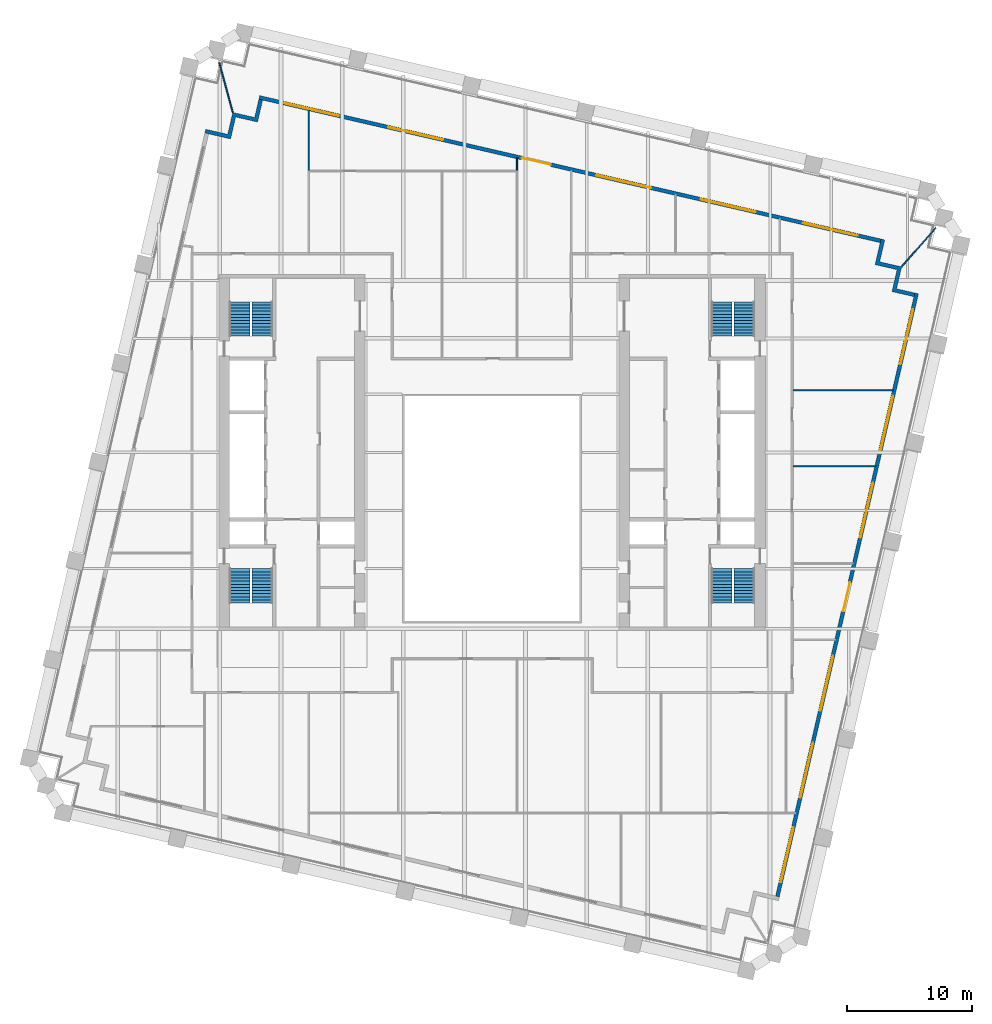
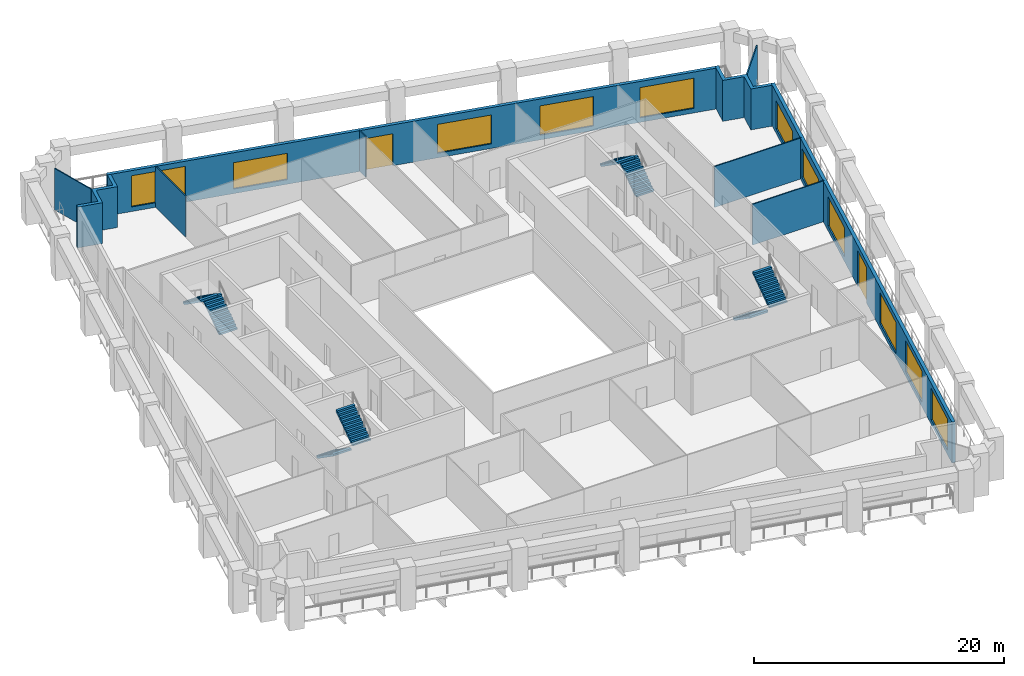
# One storey, part 8 of 9: 11 windows, 10 walls, 8 stair flights, 2 doors, 13 openings, 4 elements without a shape of their own.
"""IFC4 building model written with IfcOpenShell, lengths in metres."""

from ifc_helpers import new_model, si_unit, direction, frame, frame_2d, origin, place, context, subcontext, project, spatial, polyline, rectangle, outline, extrude, material, layer, layer_set, type_object, element, fill, aggregate, save


model = new_model("IFC4")

# Units and contexts
model_context = context("Model", 3, precision=1e-05, world=origin(), true_north=direction((0.0, 1.0)))
body_context = subcontext(model_context, "Body", "Model", "MODEL_VIEW")
ifc_project = project(units=[si_unit("LENGTHUNIT", "METRE"), si_unit("AREAUNIT", "SQUARE_METRE"), si_unit("VOLUMEUNIT", "CUBIC_METRE"), si_unit("PLANEANGLEUNIT", "RADIAN"), si_unit("MASSUNIT", "GRAM", prefix="KILO")], contexts=[model_context])

# Site, building, storey
site_placement = place(None, origin())
site = spatial("IfcSite", under=ifc_project, at=site_placement, CompositionType="ELEMENT")
building_placement = place(site_placement, origin())
building = spatial("IfcBuilding", under=site, at=building_placement, Name="Ogive Exchange Tower", CompositionType="ELEMENT")
storey_placement = place(building_placement, frame((0.0, 0.0, 122.39990234375)))
storey = spatial("IfcBuildingStorey", under=building, at=storey_placement, Name="L26", CompositionType="ELEMENT", Elevation=122.39990234375)

# Wall, openings, door, windows
ifc_material_1 = material(Name="Precast concrete C40/50", Category="concrete")
ifc_layer_1 = layer(ifc_material_1, 0.300048828125)
ifc_layer_set_1 = layer_set([ifc_layer_1], Name="Limestone-faced wall 300")
wall_type_1 = type_object("IfcWallType", Name="Limestone-faced wall 300", PredefinedType="STANDARD", material=ifc_layer_set_1)
wall_1_placement = place(storey_placement, frame((22.8203125, -24.015625, 0.0), z_axis=(0.0, 0.0, 1.0), x_axis=(0.224953880882, 0.974369412223, 0.0)))
wall_1 = element("IfcWall", 1, at=wall_1_placement, inside=storey, type_object=wall_type_1, Name="External wall E2", PredefinedType="STANDARD", context=body_context, shape_type="SweptSolid", body=[
    extrude(rectangle(XDim=49.500244140625, YDim=0.300048828125, at=frame_2d((24.75, 0.0))), origin(), (0.0, 0.0, 1.0), 4.0),
])
opening_1_placement = place(wall_1_placement, frame((1.156982421875, 0.0, 0.449951171875)))
opening_1 = element("IfcOpeningElement", 2, at=opening_1_placement, cuts=wall_1, Name="Opening W1", PredefinedType="OPENING", context=body_context, shape_type="SweptSolid", body=[
    extrude(rectangle(XDim=4.5, YDim=3.050048828125, at=frame_2d((2.25, 1.52490234375))), frame((0.0, 0.159912109375, 0.0), z_axis=(0.0, -1.0, 0.0), x_axis=(1.0, 0.0, 0.0)), (0.0, 0.0, 1.0), 0.320068359375),
])
opening_2_placement = place(wall_1_placement, frame((8.121337890625, 0.0, 0.449951171875)))
opening_2 = element("IfcOpeningElement", 3, at=opening_2_placement, cuts=wall_1, Name="Opening W1", PredefinedType="OPENING", context=body_context, shape_type="SweptSolid", body=[
    extrude(rectangle(XDim=4.5, YDim=3.050048828125, at=frame_2d((2.25, 1.52490234375))), frame((0.0, 0.159912109375, 0.0), z_axis=(0.0, -1.0, 0.0), x_axis=(1.0, 0.0, 0.0)), (0.0, 0.0, 1.0), 0.320068359375),
])
opening_3_placement = place(wall_1_placement, frame((15.235595703125, 0.0, 0.449951171875)))
opening_3 = element("IfcOpeningElement", 4, at=opening_3_placement, cuts=wall_1, Name="Opening W1", PredefinedType="OPENING", context=body_context, shape_type="SweptSolid", body=[
    extrude(rectangle(XDim=4.5, YDim=3.050048828125, at=frame_2d((2.25, 1.52490234375))), frame((0.0, 0.159912109375, 0.0), z_axis=(0.0, -1.0, 0.0), x_axis=(1.0, 0.0, 0.0)), (0.0, 0.0, 1.0), 0.320068359375),
])
opening_4_placement = place(wall_1_placement, frame((23.39990234375, 0.0, 0.0)))
opening_4 = element("IfcOpeningElement", 5, at=opening_4_placement, cuts=wall_1, Name="Opening D1", PredefinedType="OPENING", context=body_context, shape_type="SweptSolid", body=[
    extrude(rectangle(XDim=2.39990234375, YDim=3.5, at=frame_2d((1.199951171875, 1.75))), frame((0.0, 0.159912109375, 0.0), z_axis=(0.0, -1.0, 0.0), x_axis=(1.0, 0.0, 0.0)), (0.0, 0.0, 1.0), 0.320068359375),
])
opening_5_placement = place(wall_1_placement, frame((29.464111328125, 0.0, 0.449951171875)))
opening_5 = element("IfcOpeningElement", 6, at=opening_5_placement, cuts=wall_1, Name="Opening W1D", PredefinedType="OPENING", context=body_context, shape_type="SweptSolid", body=[
    extrude(rectangle(XDim=4.5, YDim=2.875, at=frame_2d((2.25, 1.4375))), frame((0.0, 0.159912109375, 0.0), z_axis=(0.0, -1.0, 0.0), x_axis=(1.0, 0.0, 0.0)), (0.0, 0.0, 1.0), 0.320068359375),
])
opening_6_placement = place(wall_1_placement, frame((36.57861328125, 0.0, 0.449951171875)))
opening_6 = element("IfcOpeningElement", 7, at=opening_6_placement, cuts=wall_1, Name="Opening W1E", PredefinedType="OPENING", context=body_context, shape_type="SweptSolid", body=[
    extrude(rectangle(XDim=4.5, YDim=2.824951171875, at=frame_2d((2.25, 1.41259765625))), frame((0.0, 0.159912109375, 0.0), z_axis=(0.0, -1.0, 0.0), x_axis=(1.0, 0.0, 0.0)), (0.0, 0.0, 1.0), 0.320068359375),
])
opening_7_placement = place(wall_1_placement, frame((43.69287109375, 0.0, 0.449951171875)))
opening_7 = element("IfcOpeningElement", 8, at=opening_7_placement, cuts=wall_1, Name="Opening W1H", PredefinedType="OPENING", context=body_context, shape_type="SweptSolid", body=[
    extrude(rectangle(XDim=4.5, YDim=2.75, at=frame_2d((2.25, 1.375))), frame((0.0, 0.159912109375, 0.0), z_axis=(0.0, -1.0, 0.0), x_axis=(1.0, 0.0, 0.0)), (0.0, 0.0, 1.0), 0.320068359375),
])
ifc_material_2 = material(Name="Clear glass in bronze frame", Category="glass")
door_type_1 = type_object("IfcDoorType", Name="Sliding loggia door 2400 x 3500", OperationType="DOUBLE_DOOR_SLIDING", PredefinedType="DOOR", material=ifc_material_2)
door_1_placement = place(opening_4_placement, origin())
door_1 = element("IfcDoor", 9, at=door_1_placement, inside=storey, type_object=door_type_1, Name="Loggia door E03", OperationType="DOUBLE_DOOR_SLIDING", OverallHeight=3.5, OverallWidth=2.39990234375, PredefinedType="DOOR", context=body_context, shape_type="SweptSolid", body=[
    extrude(rectangle(XDim=2.39990234375, YDim=3.5, at=frame_2d((1.199951171875, 1.75))), frame((0.0, 0.02490234375, 0.0), z_axis=(0.0, -1.0, 0.0), x_axis=(1.0, 0.0, 0.0)), (0.0, 0.0, 1.0), 0.050048828125),
])
fill(opening_4, door_1)
window_type_1 = type_object("IfcWindowType", Name="Twin lancet window 4500 x 2750", PartitioningType="DOUBLE_PANEL_VERTICAL", PredefinedType="WINDOW", material=ifc_material_2)
window_1_placement = place(opening_7_placement, origin())
window_1 = element("IfcWindow", 10, at=window_1_placement, inside=storey, type_object=window_type_1, Name="Window E06", OverallHeight=2.75, OverallWidth=4.5, PartitioningType="DOUBLE_PANEL_VERTICAL", PredefinedType="WINDOW", context=body_context, shape_type="SweptSolid", body=[
    extrude(rectangle(XDim=4.5, YDim=2.75, at=frame_2d((2.25, 1.375))), frame((0.0, 0.030029296875, 0.0), z_axis=(0.0, -1.0, 0.0), x_axis=(1.0, 0.0, 0.0)), (0.0, 0.0, 1.0), 0.06005859375),
])
fill(opening_7, window_1)
window_type_2 = type_object("IfcWindowType", Name="Twin lancet window 4500 x 2825", PartitioningType="DOUBLE_PANEL_VERTICAL", PredefinedType="WINDOW", material=ifc_material_2)
window_2_placement = place(opening_6_placement, origin())
window_2 = element("IfcWindow", 11, at=window_2_placement, inside=storey, type_object=window_type_2, Name="Window E05", OverallHeight=2.824951171875, OverallWidth=4.5, PartitioningType="DOUBLE_PANEL_VERTICAL", PredefinedType="WINDOW", context=body_context, shape_type="SweptSolid", body=[
    extrude(rectangle(XDim=4.5, YDim=2.824951171875, at=frame_2d((2.25, 1.41259765625))), frame((0.0, 0.030029296875, 0.0), z_axis=(0.0, -1.0, 0.0), x_axis=(1.0, 0.0, 0.0)), (0.0, 0.0, 1.0), 0.06005859375),
])
fill(opening_6, window_2)
window_type_3 = type_object("IfcWindowType", Name="Twin lancet window 4500 x 2875", PartitioningType="DOUBLE_PANEL_VERTICAL", PredefinedType="WINDOW", material=ifc_material_2)
window_3_placement = place(opening_5_placement, origin())
window_3 = element("IfcWindow", 12, at=window_3_placement, inside=storey, type_object=window_type_3, Name="Window E04", OverallHeight=2.875, OverallWidth=4.5, PartitioningType="DOUBLE_PANEL_VERTICAL", PredefinedType="WINDOW", context=body_context, shape_type="SweptSolid", body=[
    extrude(rectangle(XDim=4.5, YDim=2.875, at=frame_2d((2.25, 1.4375))), frame((0.0, 0.030029296875, 0.0), z_axis=(0.0, -1.0, 0.0), x_axis=(1.0, 0.0, 0.0)), (0.0, 0.0, 1.0), 0.06005859375),
])
fill(opening_5, window_3)
window_type_4 = type_object("IfcWindowType", Name="Twin lancet window 4500 x 3050", PartitioningType="DOUBLE_PANEL_VERTICAL", PredefinedType="WINDOW", material=ifc_material_2)
window_4_placement = place(opening_1_placement, origin())
window_4 = element("IfcWindow", 13, at=window_4_placement, inside=storey, type_object=window_type_4, Name="Window E00", OverallHeight=3.050048828125, OverallWidth=4.5, PartitioningType="DOUBLE_PANEL_VERTICAL", PredefinedType="WINDOW", context=body_context, shape_type="SweptSolid", body=[
    extrude(rectangle(XDim=4.5, YDim=3.050048828125, at=frame_2d((2.25, 1.52490234375))), frame((0.0, 0.030029296875, 0.0), z_axis=(0.0, -1.0, 0.0), x_axis=(1.0, 0.0, 0.0)), (0.0, 0.0, 1.0), 0.06005859375),
])
fill(opening_1, window_4)
window_5_placement = place(opening_2_placement, origin())
window_5 = element("IfcWindow", 14, at=window_5_placement, inside=storey, type_object=window_type_4, Name="Window E01", OverallHeight=3.050048828125, OverallWidth=4.5, PartitioningType="DOUBLE_PANEL_VERTICAL", PredefinedType="WINDOW", context=body_context, shape_type="SweptSolid", body=[
    extrude(rectangle(XDim=4.5, YDim=3.050048828125, at=frame_2d((2.25, 1.52490234375))), frame((0.0, 0.030029296875, 0.0), z_axis=(0.0, -1.0, 0.0), x_axis=(1.0, 0.0, 0.0)), (0.0, 0.0, 1.0), 0.06005859375),
])
fill(opening_2, window_5)
window_6_placement = place(opening_3_placement, origin())
window_6 = element("IfcWindow", 15, at=window_6_placement, inside=storey, type_object=window_type_4, Name="Window E02", OverallHeight=3.050048828125, OverallWidth=4.5, PartitioningType="DOUBLE_PANEL_VERTICAL", PredefinedType="WINDOW", context=body_context, shape_type="SweptSolid", body=[
    extrude(rectangle(XDim=4.5, YDim=3.050048828125, at=frame_2d((2.25, 1.52490234375))), frame((0.0, 0.030029296875, 0.0), z_axis=(0.0, -1.0, 0.0), x_axis=(1.0, 0.0, 0.0)), (0.0, 0.0, 1.0), 0.06005859375),
])
fill(opening_3, window_6)

wall_2_placement = place(storey_placement, frame((31.07763671875, 28.4208984375, 0.0), z_axis=(0.0, 0.0, 1.0), x_axis=(-0.974370456532, 0.224949357493, 0.0)))
wall_2 = element("IfcWall", 16, at=wall_2_placement, inside=storey, type_object=wall_type_1, Name="External wall N3", PredefinedType="STANDARD", context=body_context, shape_type="SweptSolid", body=[
    extrude(rectangle(XDim=51.0, YDim=0.300048828125, at=frame_2d((25.5, 0.0))), origin(), (0.0, 0.0, 1.0), 4.0),
])
opening_8_placement = place(wall_2_placement, frame((1.875, 0.0, 0.449951171875)))
opening_8 = element("IfcOpeningElement", 17, at=opening_8_placement, cuts=wall_2, Name="Opening W1B", PredefinedType="OPENING", context=body_context, shape_type="SweptSolid", body=[
    extrude(rectangle(XDim=4.5, YDim=2.949951171875, at=frame_2d((2.25, 1.47509765625))), frame((0.0, 0.159912109375, 0.0), z_axis=(0.0, -1.0, 0.0), x_axis=(1.0, 0.0, 0.0)), (0.0, 0.0, 1.0), 0.320068359375),
])
opening_9_placement = place(wall_2_placement, frame((10.27490234375, 0.0, 0.449951171875)))
opening_9 = element("IfcOpeningElement", 18, at=opening_9_placement, cuts=wall_2, Name="Opening W1D", PredefinedType="OPENING", context=body_context, shape_type="SweptSolid", body=[
    extrude(rectangle(XDim=4.5, YDim=2.875, at=frame_2d((2.25, 1.4375))), frame((0.0, 0.159912109375, 0.0), z_axis=(0.0, -1.0, 0.0), x_axis=(1.0, 0.0, 0.0)), (0.0, 0.0, 1.0), 0.320068359375),
])
opening_10_placement = place(wall_2_placement, frame((18.824951171875, 0.0, 0.449951171875)))
opening_10 = element("IfcOpeningElement", 19, at=opening_10_placement, cuts=wall_2, Name="Opening W1E", PredefinedType="OPENING", context=body_context, shape_type="SweptSolid", body=[
    extrude(rectangle(XDim=4.5, YDim=2.824951171875, at=frame_2d((2.25, 1.41259765625))), frame((0.0, 0.159912109375, 0.0), z_axis=(0.0, -1.0, 0.0), x_axis=(1.0, 0.0, 0.0)), (0.0, 0.0, 1.0), 0.320068359375),
])
opening_11_placement = place(wall_2_placement, frame((27.074951171875, 0.0, 0.0)))
opening_11 = element("IfcOpeningElement", 20, at=opening_11_placement, cuts=wall_2, Name="Opening D1J", PredefinedType="OPENING", context=body_context, shape_type="SweptSolid", body=[
    extrude(rectangle(XDim=2.39990234375, YDim=3.125, at=frame_2d((1.199951171875, 1.5625))), frame((0.0, 0.159912109375, 0.0), z_axis=(0.0, -1.0, 0.0), x_axis=(1.0, 0.0, 0.0)), (0.0, 0.0, 1.0), 0.320068359375),
])
opening_12_placement = place(wall_2_placement, frame((35.925048828125, 0.0, 0.449951171875)))
opening_12 = element("IfcOpeningElement", 21, at=opening_12_placement, cuts=wall_2, Name="Opening W1M", PredefinedType="OPENING", context=body_context, shape_type="SweptSolid", body=[
    extrude(rectangle(XDim=4.5, YDim=2.574951171875, at=frame_2d((2.25, 1.28759765625))), frame((0.0, 0.159912109375, 0.0), z_axis=(0.0, -1.0, 0.0), x_axis=(1.0, 0.0, 0.0)), (0.0, 0.0, 1.0), 0.320068359375),
])
opening_13_placement = place(wall_2_placement, frame((44.47509765625, 0.0, 0.449951171875)))
opening_13 = element("IfcOpeningElement", 22, at=opening_13_placement, cuts=wall_2, Name="Opening W1", PredefinedType="OPENING", context=body_context, shape_type="SweptSolid", body=[
    extrude(rectangle(XDim=4.5, YDim=3.050048828125, at=frame_2d((2.25, 1.52490234375))), frame((0.0, 0.159912109375, 0.0), z_axis=(0.0, -1.0, 0.0), x_axis=(1.0, 0.0, 0.0)), (0.0, 0.0, 1.0), 0.320068359375),
])
door_type_2 = type_object("IfcDoorType", Name="Sliding loggia door 2400 x 3125", OperationType="DOUBLE_DOOR_SLIDING", PredefinedType="DOOR", material=ifc_material_2)
door_2_placement = place(opening_11_placement, origin())
door_2 = element("IfcDoor", 23, at=door_2_placement, inside=storey, type_object=door_type_2, Name="Loggia door N03", OperationType="DOUBLE_DOOR_SLIDING", OverallHeight=3.125, OverallWidth=2.39990234375, PredefinedType="DOOR", context=body_context, shape_type="SweptSolid", body=[
    extrude(rectangle(XDim=2.39990234375, YDim=3.125, at=frame_2d((1.199951171875, 1.5625))), frame((0.0, 0.02490234375, 0.0), z_axis=(0.0, -1.0, 0.0), x_axis=(1.0, 0.0, 0.0)), (0.0, 0.0, 1.0), 0.050048828125),
])
fill(opening_11, door_2)
window_type_5 = type_object("IfcWindowType", Name="Twin lancet window 4500 x 2575", PartitioningType="DOUBLE_PANEL_VERTICAL", PredefinedType="WINDOW", material=ifc_material_2)
window_7_placement = place(opening_12_placement, origin())
window_7 = element("IfcWindow", 24, at=window_7_placement, inside=storey, type_object=window_type_5, Name="Window N04", OverallHeight=2.574951171875, OverallWidth=4.5, PartitioningType="DOUBLE_PANEL_VERTICAL", PredefinedType="WINDOW", context=body_context, shape_type="SweptSolid", body=[
    extrude(rectangle(XDim=4.5, YDim=2.574951171875, at=frame_2d((2.25, 1.28759765625))), frame((0.0, 0.030029296875, 0.0), z_axis=(0.0, -1.0, 0.0), x_axis=(1.0, 0.0, 0.0)), (0.0, 0.0, 1.0), 0.06005859375),
])
fill(opening_12, window_7)
window_8_placement = place(opening_10_placement, origin())
window_8 = element("IfcWindow", 25, at=window_8_placement, inside=storey, type_object=window_type_2, Name="Window N02", OverallHeight=2.824951171875, OverallWidth=4.5, PartitioningType="DOUBLE_PANEL_VERTICAL", PredefinedType="WINDOW", context=body_context, shape_type="SweptSolid", body=[
    extrude(rectangle(XDim=4.5, YDim=2.824951171875, at=frame_2d((2.25, 1.41259765625))), frame((0.0, 0.030029296875, 0.0), z_axis=(0.0, -1.0, 0.0), x_axis=(1.0, 0.0, 0.0)), (0.0, 0.0, 1.0), 0.06005859375),
])
fill(opening_10, window_8)
window_9_placement = place(opening_9_placement, origin())
window_9 = element("IfcWindow", 26, at=window_9_placement, inside=storey, type_object=window_type_3, Name="Window N01", OverallHeight=2.875, OverallWidth=4.5, PartitioningType="DOUBLE_PANEL_VERTICAL", PredefinedType="WINDOW", context=body_context, shape_type="SweptSolid", body=[
    extrude(rectangle(XDim=4.5, YDim=2.875, at=frame_2d((2.25, 1.4375))), frame((0.0, 0.030029296875, 0.0), z_axis=(0.0, -1.0, 0.0), x_axis=(1.0, 0.0, 0.0)), (0.0, 0.0, 1.0), 0.06005859375),
])
fill(opening_9, window_9)
window_type_6 = type_object("IfcWindowType", Name="Twin lancet window 4500 x 2950", PartitioningType="DOUBLE_PANEL_VERTICAL", PredefinedType="WINDOW", material=ifc_material_2)
window_10_placement = place(opening_8_placement, origin())
window_10 = element("IfcWindow", 27, at=window_10_placement, inside=storey, type_object=window_type_6, Name="Window N00", OverallHeight=2.949951171875, OverallWidth=4.5, PartitioningType="DOUBLE_PANEL_VERTICAL", PredefinedType="WINDOW", context=body_context, shape_type="SweptSolid", body=[
    extrude(rectangle(XDim=4.5, YDim=2.949951171875, at=frame_2d((2.25, 1.47509765625))), frame((0.0, 0.030029296875, 0.0), z_axis=(0.0, -1.0, 0.0), x_axis=(1.0, 0.0, 0.0)), (0.0, 0.0, 1.0), 0.06005859375),
])
fill(opening_8, window_10)
window_11_placement = place(opening_13_placement, origin())
window_11 = element("IfcWindow", 28, at=window_11_placement, inside=storey, type_object=window_type_4, Name="Window N05", OverallHeight=3.050048828125, OverallWidth=4.5, PartitioningType="DOUBLE_PANEL_VERTICAL", PredefinedType="WINDOW", context=body_context, shape_type="SweptSolid", body=[
    extrude(rectangle(XDim=4.5, YDim=3.050048828125, at=frame_2d((2.25, 1.52490234375))), frame((0.0, 0.030029296875, 0.0), z_axis=(0.0, -1.0, 0.0), x_axis=(1.0, 0.0, 0.0)), (0.0, 0.0, 1.0), 0.06005859375),
])
fill(opening_13, window_11)

# Walls
wall_3_placement = place(storey_placement, origin())
element("IfcWall", 29, at=wall_3_placement, inside=storey, type_object=wall_type_1, Name="External corner wall C2", PredefinedType="STANDARD", context=body_context, shape_type="SweptSolid", body=[
    extrude(outline(polyline([(32.392822265625, 26.115966796875), (30.638916015625, 26.52099609375), (31.111328125, 28.56689453125), (31.40380859375, 28.49951171875), (30.998779296875, 26.74560546875), (32.752685546875, 26.3408203125), (32.34765625, 24.5869140625), (33.809326171875, 24.24951171875), (33.74169921875, 23.957275390625), (31.98779296875, 24.362060546875), (32.392822265625, 26.115966796875)])), origin(), (0.0, 0.0, 1.0), 4.0),
])
wall_4_placement = place(storey_placement, origin())
element("IfcWall", 30, at=wall_4_placement, inside=storey, type_object=wall_type_1, Name="External corner wall C3", PredefinedType="STANDARD", context=body_context, shape_type="SweptSolid", body=[
    extrude(outline(polyline([(-22.966552734375, 37.04931640625), (-22.89892578125, 37.341552734375), (-21.145263671875, 36.936767578125), (-20.740234375, 38.690673828125), (-18.986328125, 38.28564453125), (-18.64892578125, 39.747314453125), (-18.356689453125, 39.6796875), (-18.76171875, 37.92578125), (-20.515380859375, 38.330810546875), (-20.92041015625, 36.576904296875), (-22.966552734375, 37.04931640625)])), origin(), (0.0, 0.0, 1.0), 4.0),
])
ifc_material_3 = material(Name="Laminated safety glass in steel frame", Category="steel")
ifc_layer_2 = layer(ifc_material_3, 0.10009765625)
ifc_layer_set_2 = layer_set([ifc_layer_2], Name="Loggia end screen 100")
wall_type_2 = type_object("IfcWallType", Name="Loggia end screen 100", PredefinedType="STANDARD", material=ifc_layer_set_2)
for number, where, z_axis, x_axis, name in (
    (31, (32.752685546875, 26.3408203125, -0.0498046875), (0.0, 0.0, 1.0), (0.658943218677, 0.752192684463, 0.0), "Loggia end screen C2"),
    (32, (-20.740234375, 38.690673828125, -0.0498046875), (0.0, 0.0, 1.0), (-0.26250811514, 0.964929784744, 0.0), "Loggia end screen C3"),
):
    element("IfcWall", number, at=place(storey_placement, frame(where, z_axis=z_axis, x_axis=x_axis)), inside=storey, type_object=wall_type_2, Name=name, PredefinedType="STANDARD", context=body_context, shape_type="SweptSolid", body=[
        extrude(rectangle(XDim=4.13671875, YDim=0.10009765625, at=frame_2d((2.068359375, 0.0))), origin(), (0.0, 0.0, 1.0), 4.0498046875),
    ])
ifc_material_4 = material(Name="Partition 100 gypsum")
ifc_layer_3 = layer(ifc_material_4, 0.10009765625)
ifc_layer_set_3 = layer_set([ifc_layer_3], Name="Partition 100 gypsum")
wall_type_3 = type_object("IfcWallType", Name="Partition 100 gypsum", PredefinedType="PARTITIONING", material=ifc_layer_set_3)
wall_5_placement = place(storey_placement, frame((-14.669921875, 34.050048828125, 0.0), z_axis=(0.0, 0.0, 1.0), x_axis=(0.0, 1.0, 0.0)))
element("IfcWall", 33, at=wall_5_placement, inside=storey, type_object=wall_type_3, Name="L26-PWL-020", PredefinedType="PARTITIONING", context=body_context, shape_type="SweptSolid", body=[
    extrude(rectangle(XDim=4.86083984375, YDim=0.10009765625, at=frame_2d((2.430419921875, 0.0))), origin(), (0.0, 0.0, 1.0), 4.0),
])
wall_6_placement = place(storey_placement, frame((1.989990234375, 35.06494140625, 0.0), z_axis=(0.0, 0.0, 1.0), x_axis=(0.0, -1.0, 0.0)))
element("IfcWall", 34, at=wall_6_placement, inside=storey, type_object=wall_type_3, Name="L26-PWL-037", PredefinedType="PARTITIONING", context=body_context, shape_type="SweptSolid", body=[
    extrude(rectangle(XDim=1.014892578125, YDim=0.10009765625, at=frame_2d((0.50732421875, 0.0))), origin(), (0.0, 0.0, 1.0), 4.0),
])
wall_7_placement = place(storey_placement, frame((24.074951171875, 10.389892578125, 0.0), z_axis=(0.0, 0.0, 1.0), x_axis=(1.0, 0.0, 0.0)))
element("IfcWall", 35, at=wall_7_placement, inside=storey, type_object=wall_type_3, Name="L26-PWL-062", PredefinedType="PARTITIONING", context=body_context, shape_type="SweptSolid", body=[
    extrude(rectangle(XDim=6.616943359375, YDim=0.10009765625, at=frame_2d((3.30859375, 0.0))), origin(), (0.0, 0.0, 1.0), 4.0),
])
wall_8_placement = place(storey_placement, frame((24.074951171875, 16.47998046875, 0.0), z_axis=(0.0, 0.0, 1.0), x_axis=(1.0, 0.0, 0.0)))
element("IfcWall", 36, at=wall_8_placement, inside=storey, type_object=wall_type_3, Name="L26-PWL-064", PredefinedType="PARTITIONING", context=body_context, shape_type="SweptSolid", body=[
    extrude(rectangle(XDim=8.02294921875, YDim=0.10009765625, at=frame_2d((4.011474609375, 0.0))), origin(), (0.0, 0.0, 1.0), 4.0),
])

# Stair, stair flights
ifc_material_5 = material(Name="Concrete C40/50", Category="concrete")
stair_type = type_object("IfcStairType", Name="Exit stair 1650 wide", PredefinedType="HALF_TURN_STAIR", material=ifc_material_5)
stair_1_placement = place(storey_placement, origin())
stair_1 = element("IfcStair", 37, at=stair_1_placement, inside=storey, type_object=stair_type, Name="L26 exit stair ST1", PredefinedType="HALF_TURN_STAIR")
stair_flight_type = type_object("IfcStairFlightType", Name="Stair flight 1650 wide", PredefinedType="STRAIGHT", material=ifc_material_5)
stair_flight_1_placement = place(storey_placement, frame((-20.175048828125, 2.199951171875, 0.0), z_axis=(0.0, 0.0, 1.0), x_axis=(0.0, -1.0, 0.0)))
stair_flight_1 = element("IfcStairFlight", 38, at=stair_flight_1_placement, type_object=stair_flight_type, Name="ST1 flight 1", NumberOfRisers=12, NumberOfTreads=11, PredefinedType="STRAIGHT", RiserHeight=0.175, TreadLength=0.25, context=body_context, shape_type="SweptSolid", body=[
    extrude(outline(polyline([(0.0, 0.0), (0.0, 0.175048828125), (0.25, 0.175048828125), (0.25, 0.35009765625), (0.5, 0.35009765625), (0.5, 0.52490234375), (0.75, 0.52490234375), (0.75, 0.699951171875), (1.0, 0.699951171875), (1.0, 0.875), (1.25, 0.875), (1.25, 1.050048828125), (1.5, 1.050048828125), (1.5, 1.22509765625), (1.75, 1.22509765625), (1.75, 1.39990234375), (2.0, 1.39990234375), (2.0, 1.574951171875), (2.25, 1.574951171875), (2.25, 1.75), (2.5, 1.75), (2.5, 1.925048828125), (2.75, 1.925048828125), (2.75, 2.10009765625), (2.75, 1.741943359375), (0.261474609375, 0.0), (0.0, 0.0)])), frame((0.0, 0.824951171875, 0.0), z_axis=(0.0, -1.0, 0.0), x_axis=(1.0, 0.0, 0.0)), (0.0, 0.0, 1.0), 1.64990234375),
])
stair_flight_2_placement = place(storey_placement, frame((-18.375, -0.550048828125, 2.10009765625), z_axis=(0.0, 0.0, 1.0), x_axis=(0.0, 1.0, 0.0)))
stair_flight_2 = element("IfcStairFlight", 39, at=stair_flight_2_placement, type_object=stair_flight_type, Name="ST1 flight 2", NumberOfRisers=12, NumberOfTreads=11, PredefinedType="STRAIGHT", RiserHeight=0.175, TreadLength=0.25, context=body_context, shape_type="SweptSolid", body=[
    extrude(outline(polyline([(0.0, 0.0), (0.0, 0.175048828125), (0.25, 0.175048828125), (0.25, 0.35009765625), (0.5, 0.35009765625), (0.5, 0.52490234375), (0.75, 0.52490234375), (0.75, 0.699951171875), (1.0, 0.699951171875), (1.0, 0.875), (1.25, 0.875), (1.25, 1.050048828125), (1.5, 1.050048828125), (1.5, 1.22509765625), (1.75, 1.22509765625), (1.75, 1.39990234375), (2.0, 1.39990234375), (2.0, 1.574951171875), (2.25, 1.574951171875), (2.25, 1.75), (2.5, 1.75), (2.5, 1.925048828125), (2.75, 1.925048828125), (2.75, 2.10009765625), (2.75, 1.741943359375), (0.261474609375, 0.0), (0.0, 0.0)])), frame((0.0, 0.824951171875, 0.0), z_axis=(0.0, -1.0, 0.0), x_axis=(1.0, 0.0, 0.0)), (0.0, 0.0, 1.0), 1.64990234375),
])
aggregate(stair_1, [stair_flight_1, stair_flight_2])

stair_2_placement = place(storey_placement, origin())
stair_2 = element("IfcStair", 40, at=stair_2_placement, inside=storey, type_object=stair_type, Name="L26 exit stair ST2", PredefinedType="HALF_TURN_STAIR")
stair_flight_3_placement = place(storey_placement, frame((-18.375, 20.800048828125, 0.0), z_axis=(0.0, 0.0, 1.0), x_axis=(0.0, 1.0, 0.0)))
stair_flight_3 = element("IfcStairFlight", 41, at=stair_flight_3_placement, type_object=stair_flight_type, Name="ST2 flight 1", NumberOfRisers=12, NumberOfTreads=11, PredefinedType="STRAIGHT", RiserHeight=0.175, TreadLength=0.25, context=body_context, shape_type="SweptSolid", body=[
    extrude(outline(polyline([(0.0, 0.0), (0.0, 0.175048828125), (0.25, 0.175048828125), (0.25, 0.35009765625), (0.5, 0.35009765625), (0.5, 0.52490234375), (0.75, 0.52490234375), (0.75, 0.699951171875), (1.0, 0.699951171875), (1.0, 0.875), (1.25, 0.875), (1.25, 1.050048828125), (1.5, 1.050048828125), (1.5, 1.22509765625), (1.75, 1.22509765625), (1.75, 1.39990234375), (2.0, 1.39990234375), (2.0, 1.574951171875), (2.25, 1.574951171875), (2.25, 1.75), (2.5, 1.75), (2.5, 1.925048828125), (2.75, 1.925048828125), (2.75, 2.10009765625), (2.75, 1.741943359375), (0.261474609375, 0.0), (0.0, 0.0)])), frame((0.0, 0.824951171875, 0.0), z_axis=(0.0, -1.0, 0.0), x_axis=(1.0, 0.0, 0.0)), (0.0, 0.0, 1.0), 1.64990234375),
])
stair_flight_4_placement = place(storey_placement, frame((-20.175048828125, 23.550048828125, 2.10009765625), z_axis=(0.0, 0.0, 1.0), x_axis=(0.0, -1.0, 0.0)))
stair_flight_4 = element("IfcStairFlight", 42, at=stair_flight_4_placement, type_object=stair_flight_type, Name="ST2 flight 2", NumberOfRisers=12, NumberOfTreads=11, PredefinedType="STRAIGHT", RiserHeight=0.175, TreadLength=0.25, context=body_context, shape_type="SweptSolid", body=[
    extrude(outline(polyline([(0.0, 0.0), (0.0, 0.175048828125), (0.25, 0.175048828125), (0.25, 0.35009765625), (0.5, 0.35009765625), (0.5, 0.52490234375), (0.75, 0.52490234375), (0.75, 0.699951171875), (1.0, 0.699951171875), (1.0, 0.875), (1.25, 0.875), (1.25, 1.050048828125), (1.5, 1.050048828125), (1.5, 1.22509765625), (1.75, 1.22509765625), (1.75, 1.39990234375), (2.0, 1.39990234375), (2.0, 1.574951171875), (2.25, 1.574951171875), (2.25, 1.75), (2.5, 1.75), (2.5, 1.925048828125), (2.75, 1.925048828125), (2.75, 2.10009765625), (2.75, 1.741943359375), (0.261474609375, 0.0), (0.0, 0.0)])), frame((0.0, 0.824951171875, 0.0), z_axis=(0.0, -1.0, 0.0), x_axis=(1.0, 0.0, 0.0)), (0.0, 0.0, 1.0), 1.64990234375),
])
aggregate(stair_2, [stair_flight_3, stair_flight_4])

stair_3_placement = place(storey_placement, origin())
stair_3 = element("IfcStair", 43, at=stair_3_placement, inside=storey, type_object=stair_type, Name="L26 exit stair ST3", PredefinedType="HALF_TURN_STAIR")
stair_flight_5_placement = place(storey_placement, frame((18.375, 2.199951171875, 0.0), z_axis=(0.0, 0.0, 1.0), x_axis=(0.0, -1.0, 0.0)))
stair_flight_5 = element("IfcStairFlight", 44, at=stair_flight_5_placement, type_object=stair_flight_type, Name="ST3 flight 1", NumberOfRisers=12, NumberOfTreads=11, PredefinedType="STRAIGHT", RiserHeight=0.175, TreadLength=0.25, context=body_context, shape_type="SweptSolid", body=[
    extrude(outline(polyline([(0.0, 0.0), (0.0, 0.175048828125), (0.25, 0.175048828125), (0.25, 0.35009765625), (0.5, 0.35009765625), (0.5, 0.52490234375), (0.75, 0.52490234375), (0.75, 0.699951171875), (1.0, 0.699951171875), (1.0, 0.875), (1.25, 0.875), (1.25, 1.050048828125), (1.5, 1.050048828125), (1.5, 1.22509765625), (1.75, 1.22509765625), (1.75, 1.39990234375), (2.0, 1.39990234375), (2.0, 1.574951171875), (2.25, 1.574951171875), (2.25, 1.75), (2.5, 1.75), (2.5, 1.925048828125), (2.75, 1.925048828125), (2.75, 2.10009765625), (2.75, 1.741943359375), (0.261474609375, 0.0), (0.0, 0.0)])), frame((0.0, 0.824951171875, 0.0), z_axis=(0.0, -1.0, 0.0), x_axis=(1.0, 0.0, 0.0)), (0.0, 0.0, 1.0), 1.64990234375),
])
stair_flight_6_placement = place(storey_placement, frame((20.175048828125, -0.550048828125, 2.10009765625), z_axis=(0.0, 0.0, 1.0), x_axis=(0.0, 1.0, 0.0)))
stair_flight_6 = element("IfcStairFlight", 45, at=stair_flight_6_placement, type_object=stair_flight_type, Name="ST3 flight 2", NumberOfRisers=12, NumberOfTreads=11, PredefinedType="STRAIGHT", RiserHeight=0.175, TreadLength=0.25, context=body_context, shape_type="SweptSolid", body=[
    extrude(outline(polyline([(0.0, 0.0), (0.0, 0.175048828125), (0.25, 0.175048828125), (0.25, 0.35009765625), (0.5, 0.35009765625), (0.5, 0.52490234375), (0.75, 0.52490234375), (0.75, 0.699951171875), (1.0, 0.699951171875), (1.0, 0.875), (1.25, 0.875), (1.25, 1.050048828125), (1.5, 1.050048828125), (1.5, 1.22509765625), (1.75, 1.22509765625), (1.75, 1.39990234375), (2.0, 1.39990234375), (2.0, 1.574951171875), (2.25, 1.574951171875), (2.25, 1.75), (2.5, 1.75), (2.5, 1.925048828125), (2.75, 1.925048828125), (2.75, 2.10009765625), (2.75, 1.741943359375), (0.261474609375, 0.0), (0.0, 0.0)])), frame((0.0, 0.824951171875, 0.0), z_axis=(0.0, -1.0, 0.0), x_axis=(1.0, 0.0, 0.0)), (0.0, 0.0, 1.0), 1.64990234375),
])
aggregate(stair_3, [stair_flight_5, stair_flight_6])

stair_4_placement = place(storey_placement, origin())
stair_4 = element("IfcStair", 46, at=stair_4_placement, inside=storey, type_object=stair_type, Name="L26 exit stair ST4", PredefinedType="HALF_TURN_STAIR")
stair_flight_7_placement = place(storey_placement, frame((20.175048828125, 20.800048828125, 0.0), z_axis=(0.0, 0.0, 1.0), x_axis=(0.0, 1.0, 0.0)))
stair_flight_7 = element("IfcStairFlight", 47, at=stair_flight_7_placement, type_object=stair_flight_type, Name="ST4 flight 1", NumberOfRisers=12, NumberOfTreads=11, PredefinedType="STRAIGHT", RiserHeight=0.175, TreadLength=0.25, context=body_context, shape_type="SweptSolid", body=[
    extrude(outline(polyline([(0.0, 0.0), (0.0, 0.175048828125), (0.25, 0.175048828125), (0.25, 0.35009765625), (0.5, 0.35009765625), (0.5, 0.52490234375), (0.75, 0.52490234375), (0.75, 0.699951171875), (1.0, 0.699951171875), (1.0, 0.875), (1.25, 0.875), (1.25, 1.050048828125), (1.5, 1.050048828125), (1.5, 1.22509765625), (1.75, 1.22509765625), (1.75, 1.39990234375), (2.0, 1.39990234375), (2.0, 1.574951171875), (2.25, 1.574951171875), (2.25, 1.75), (2.5, 1.75), (2.5, 1.925048828125), (2.75, 1.925048828125), (2.75, 2.10009765625), (2.75, 1.741943359375), (0.261474609375, 0.0), (0.0, 0.0)])), frame((0.0, 0.824951171875, 0.0), z_axis=(0.0, -1.0, 0.0), x_axis=(1.0, 0.0, 0.0)), (0.0, 0.0, 1.0), 1.64990234375),
])
stair_flight_8_placement = place(storey_placement, frame((18.375, 23.550048828125, 2.10009765625), z_axis=(0.0, 0.0, 1.0), x_axis=(0.0, -1.0, 0.0)))
stair_flight_8 = element("IfcStairFlight", 48, at=stair_flight_8_placement, type_object=stair_flight_type, Name="ST4 flight 2", NumberOfRisers=12, NumberOfTreads=11, PredefinedType="STRAIGHT", RiserHeight=0.175, TreadLength=0.25, context=body_context, shape_type="SweptSolid", body=[
    extrude(outline(polyline([(0.0, 0.0), (0.0, 0.175048828125), (0.25, 0.175048828125), (0.25, 0.35009765625), (0.5, 0.35009765625), (0.5, 0.52490234375), (0.75, 0.52490234375), (0.75, 0.699951171875), (1.0, 0.699951171875), (1.0, 0.875), (1.25, 0.875), (1.25, 1.050048828125), (1.5, 1.050048828125), (1.5, 1.22509765625), (1.75, 1.22509765625), (1.75, 1.39990234375), (2.0, 1.39990234375), (2.0, 1.574951171875), (2.25, 1.574951171875), (2.25, 1.75), (2.5, 1.75), (2.5, 1.925048828125), (2.75, 1.925048828125), (2.75, 2.10009765625), (2.75, 1.741943359375), (0.261474609375, 0.0), (0.0, 0.0)])), frame((0.0, 0.824951171875, 0.0), z_axis=(0.0, -1.0, 0.0), x_axis=(1.0, 0.0, 0.0)), (0.0, 0.0, 1.0), 1.64990234375),
])
aggregate(stair_4, [stair_flight_7, stair_flight_8])

save(model, "model.ifc")
